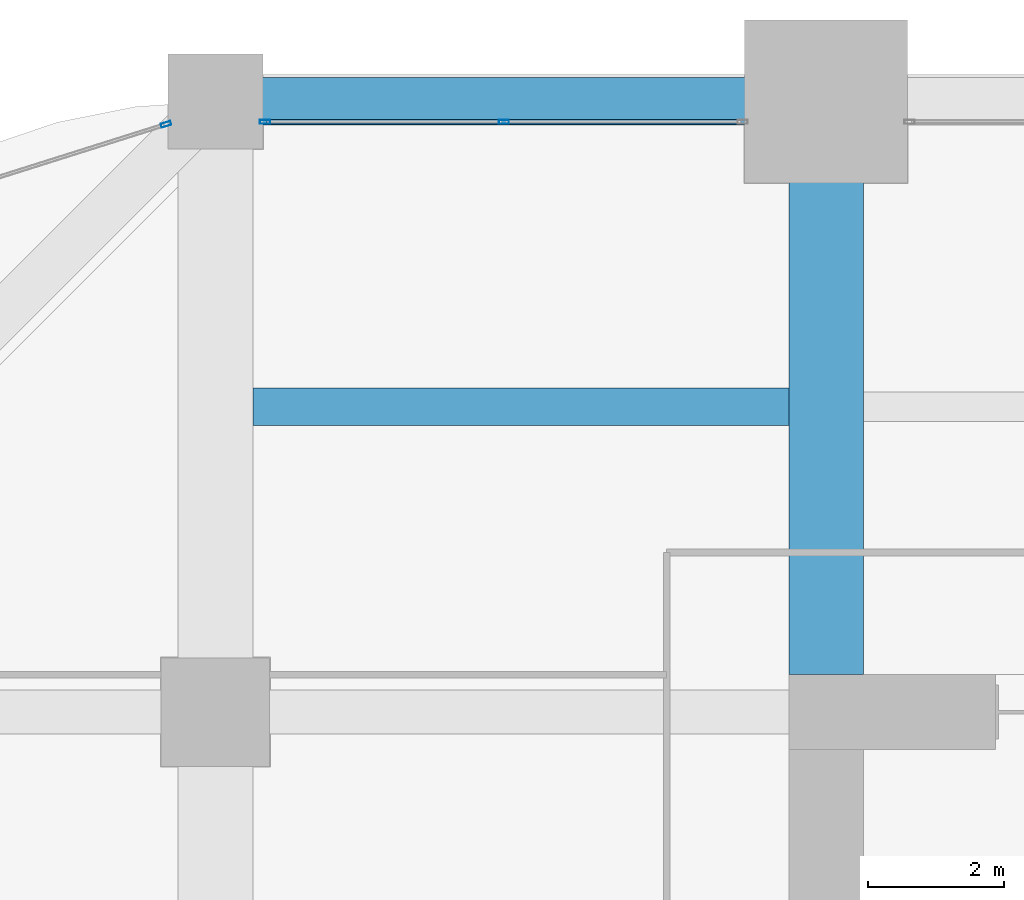
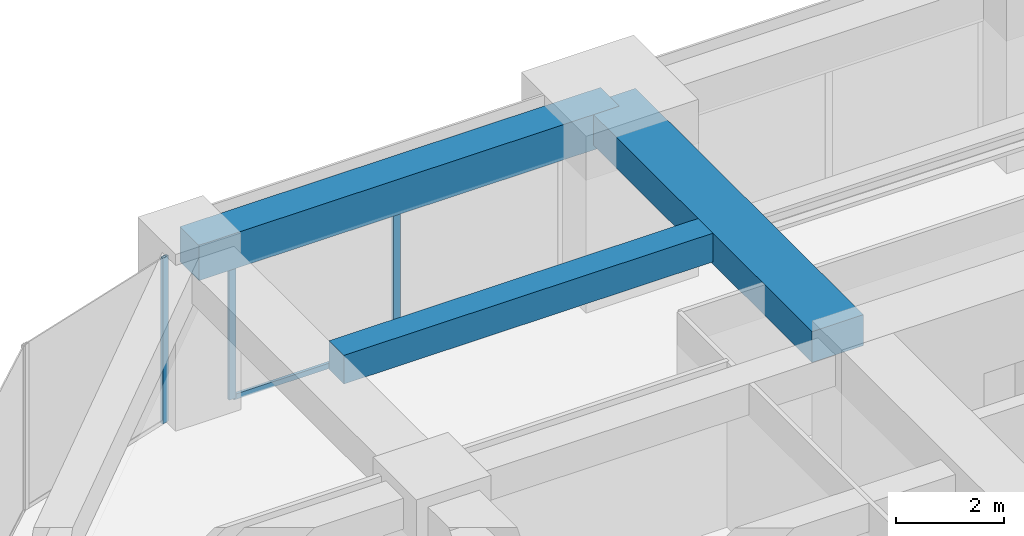
# One storey, part 23 of 33: 4 members, 3 beams, 2 elements without a shape of their own.
"""IFC4 building model written with IfcOpenShell, lengths in metres."""

from ifc_helpers import new_model, si_unit, direction, frame, origin, origin_2d, place, context, subcontext, project, spatial, rectangle, hollow_rectangle, extrude, material, material_profile, profile_set, type_object, element, aggregate, save


model = new_model("IFC4")

# Units and contexts
model_context = context("Model", 3, precision=1e-05, world=origin(), true_north=direction((0.0, 1.0)))
body_context = subcontext(model_context, "Body", "Model", "MODEL_VIEW")
ifc_project = project(units=[si_unit("LENGTHUNIT", "METRE"), si_unit("AREAUNIT", "SQUARE_METRE"), si_unit("VOLUMEUNIT", "CUBIC_METRE"), si_unit("PLANEANGLEUNIT", "RADIAN"), si_unit("MASSUNIT", "GRAM", prefix="KILO")], contexts=[model_context])

# Site, building, storey
site_placement = place(None, origin())
site = spatial("IfcSite", under=ifc_project, at=site_placement, CompositionType="ELEMENT")
building_placement = place(site_placement, origin())
building = spatial("IfcBuilding", under=site, at=building_placement, Name="Zorevar Civic Tower", CompositionType="ELEMENT")
storey_placement = place(building_placement, frame((0.0, 0.0, 178.199951171875)))
storey = spatial("IfcBuildingStorey", under=building, at=storey_placement, Name="L43", CompositionType="ELEMENT", Elevation=178.199951171875)

# Beams
ifc_material_1 = material(Name="Concrete C50/60", Category="concrete")
ifc_material_profile_1 = material_profile(ifc_material_1, rectangle(XDim=1.10009765625, YDim=0.699951171875, at=origin_2d()), Name="RC 1100x700")
ifc_profile_set_1 = profile_set([ifc_material_profile_1], Name="Concrete C50/60")
beam_type_1 = type_object("IfcBeamType", Name="Beam RC 1100x700", PredefinedType="BEAM", material=ifc_profile_set_1)
beam_1_placement = place(storey_placement, frame((18.0, 36.550048828125, 3.400146484375), z_axis=(0.0, 1.0, 0.0), x_axis=(-1.0, 0.0, 0.0)))
element("IfcBeam", 1, at=beam_1_placement, inside=storey, type_object=beam_type_1, Name="Girder L44", PredefinedType="BEAM", context=body_context, shape_type="SweptSolid", body=[
    extrude(rectangle(XDim=1.10009765625, YDim=0.699951171875, at=origin_2d()), origin(), (0.0, 0.0, 1.0), 8.449951171875),
])
ifc_material_2 = material(Name="Concrete C50/60", Category="concrete")
ifc_material_profile_2 = material_profile(ifc_material_2, rectangle(XDim=0.550048828125, YDim=0.64990234375, at=origin_2d()), Name="RC 550x650")
ifc_profile_set_2 = profile_set([ifc_material_profile_2], Name="Concrete C50/60")
beam_type_2 = type_object("IfcBeamType", Name="Beam RC 550x650", PredefinedType="BEAM", material=ifc_profile_set_2)
beam_2_placement = place(storey_placement, frame((9.550048828125, 40.5, 3.425048828125), z_axis=(1.0, 0.0, 0.0), x_axis=(0.0, 1.0, 0.0)))
element("IfcBeam", 2, at=beam_2_placement, inside=storey, type_object=beam_type_2, Name="Secondary beam L44", PredefinedType="BEAM", context=body_context, shape_type="SweptSolid", body=[
    extrude(rectangle(XDim=0.550048828125, YDim=0.64990234375, at=origin_2d()), origin(), (0.0, 0.0, 1.0), 7.89990234375),
])

# Curtain wall, members
ifc_material_3 = material(Name="Dark grey solar-control glass in black aluminium frame", Category="aluminium")
curtain_wall_type = type_object("IfcCurtainWallType", Name="Curtain wall CW4 high zone", PredefinedType="NOTDEFINED", material=ifc_material_3)
curtain_wall_1_placement = place(storey_placement, origin())
curtain_wall_1 = element("IfcCurtainWall", 3, at=curtain_wall_1_placement, inside=storey, type_object=curtain_wall_type, Name="CW4 L43", PredefinedType="NOTDEFINED")
ifc_material_4 = material(Name="Aluminium, black anodised", Category="aluminium")
ifc_material_profile_3 = material_profile(ifc_material_4, hollow_rectangle(XDim=0.06005859375, YDim=0.14990234375, WallThickness=0.00390625, at=origin_2d()), Name="AL 150x60x4")
ifc_profile_set_3 = profile_set([ifc_material_profile_3], Name="Aluminium, black anodised")
member_type_1 = type_object("IfcMemberType", Name="CW4 mullion AL 150x60x4", PredefinedType="MULLION", material=ifc_profile_set_3)
member_1_placement = place(storey_placement, frame((9.72998046875, 44.699951171875, 0.0), z_axis=(0.0, 0.0, 1.0), x_axis=(0.0, 1.0, 0.0)))
member_1 = element("IfcMember", 4, at=member_1_placement, type_object=member_type_1, Name="CW4 mullion 1", PredefinedType="MULLION", context=body_context, shape_type="SweptSolid", body=[
    extrude(hollow_rectangle(XDim=0.06005859375, YDim=0.14990234375, WallThickness=0.00390625, at=origin_2d()), origin(), (0.0, 0.0, 1.0), 2.949951171875),
])
member_2_placement = place(storey_placement, frame((13.25, 44.699951171875, 0.06005859375), z_axis=(0.0, 0.0, 1.0), x_axis=(0.0, 1.0, 0.0)))
member_2 = element("IfcMember", 5, at=member_2_placement, type_object=member_type_1, Name="CW4 mullion 2", PredefinedType="MULLION", context=body_context, shape_type="SweptSolid", body=[
    extrude(hollow_rectangle(XDim=0.06005859375, YDim=0.14990234375, WallThickness=0.00390625, at=origin_2d()), origin(), (0.0, 0.0, 1.0), 2.889892578125),
])

# Curtain wall, member
curtain_wall_2_placement = place(storey_placement, origin())
curtain_wall_2 = element("IfcCurtainWall", 6, at=curtain_wall_2_placement, inside=storey, type_object=curtain_wall_type, Name="CW4 L43", PredefinedType="NOTDEFINED")
member_3_placement = place(storey_placement, frame((8.271484375, 44.66259765625, 0.0), z_axis=(0.0, 0.0, 1.0), x_axis=(0.301108296077, -0.953589950678, 0.0)))
member_3 = element("IfcMember", 7, at=member_3_placement, type_object=member_type_1, Name="CW4 mullion 1", PredefinedType="MULLION", context=body_context, shape_type="SweptSolid", body=[
    extrude(hollow_rectangle(XDim=0.06005859375, YDim=0.14990234375, WallThickness=0.00390625, at=origin_2d()), origin(), (0.0, 0.0, 1.0), 3.75),
])
aggregate(curtain_wall_2, [member_3])

# Member
ifc_material_5 = material(Name="Aluminium, black anodised", Category="aluminium")
ifc_material_profile_4 = material_profile(ifc_material_5, hollow_rectangle(XDim=0.06005859375, YDim=0.1201171875, WallThickness=0.0029296875, at=origin_2d()), Name="AL 120x60x3")
ifc_profile_set_4 = profile_set([ifc_material_profile_4], Name="Aluminium, black anodised")
member_type_2 = type_object("IfcMemberType", Name="CW4 transom AL 120x60x3", PredefinedType="USERDEFINED", material=ifc_profile_set_4)
member_4_placement = place(storey_placement, frame((9.760009765625, 44.699951171875, 0.030029296875), z_axis=(1.0, 0.0, 0.0), x_axis=(0.0, 1.0, 0.0)))
member_4 = element("IfcMember", 8, at=member_4_placement, type_object=member_type_2, Name="CW4 sill transom", ObjectType="TRANSOM", PredefinedType="USERDEFINED", context=body_context, shape_type="SweptSolid", body=[
    extrude(hollow_rectangle(XDim=0.06005859375, YDim=0.1201171875, WallThickness=0.0029296875, at=origin_2d()), origin(), (0.0, 0.0, 1.0), 6.97998046875),
])

aggregate(curtain_wall_1, [member_1, member_2, member_4])

# Beam
ifc_material_6 = material(Name="Concrete C50/60", Category="concrete")
ifc_material_profile_5 = material_profile(ifc_material_6, rectangle(XDim=0.699951171875, YDim=0.800048828125, at=origin_2d()), Name="RC 700x800")
ifc_profile_set_5 = profile_set([ifc_material_profile_5], Name="Concrete C50/60")
beam_type_3 = type_object("IfcBeamType", Name="Edge beam RC 700x800", PredefinedType="SPANDREL", material=ifc_profile_set_5)
beam_3_placement = place(storey_placement, frame((9.0, 45.0, 3.35009765625), z_axis=(1.0, 0.0, 0.0), x_axis=(0.0, 1.0, 0.0)))
element("IfcBeam", 9, at=beam_3_placement, inside=storey, type_object=beam_type_3, Name="Edge beam L44", PredefinedType="SPANDREL", context=body_context, shape_type="SweptSolid", body=[
    extrude(rectangle(XDim=0.699951171875, YDim=0.800048828125, at=origin_2d()), origin(), (0.0, 0.0, 1.0), 9.0),
])

save(model, "model.ifc")
